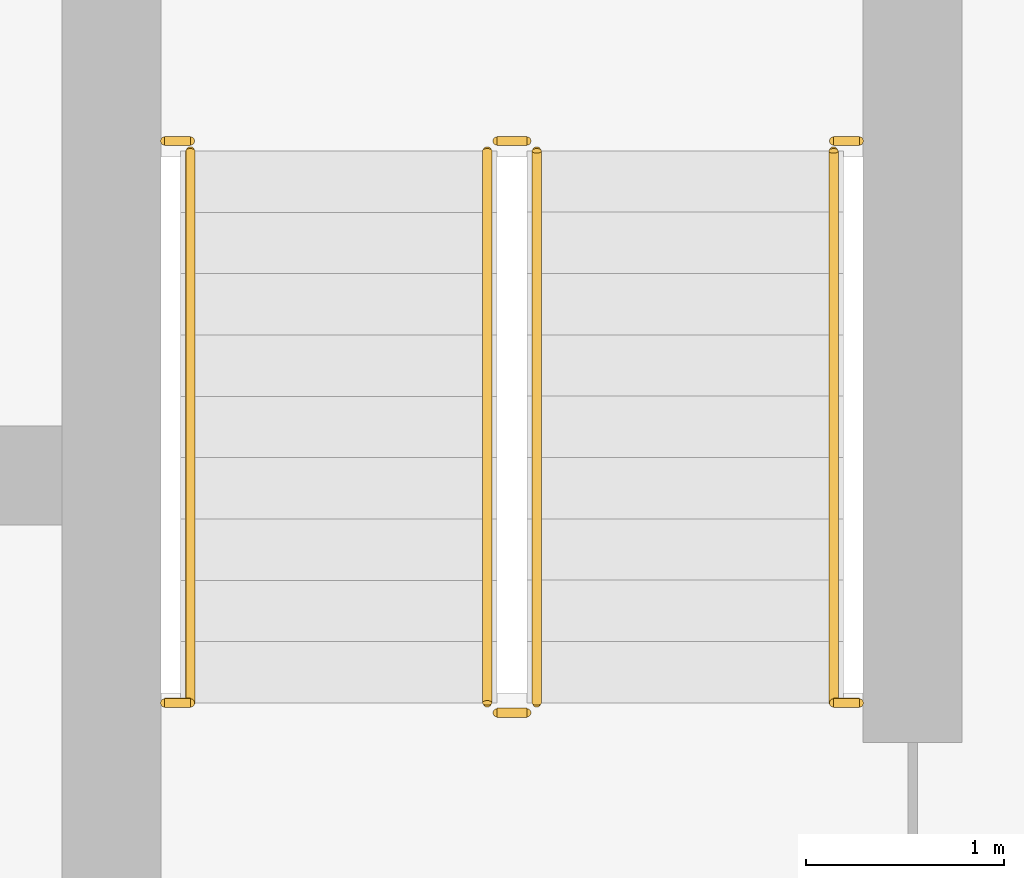
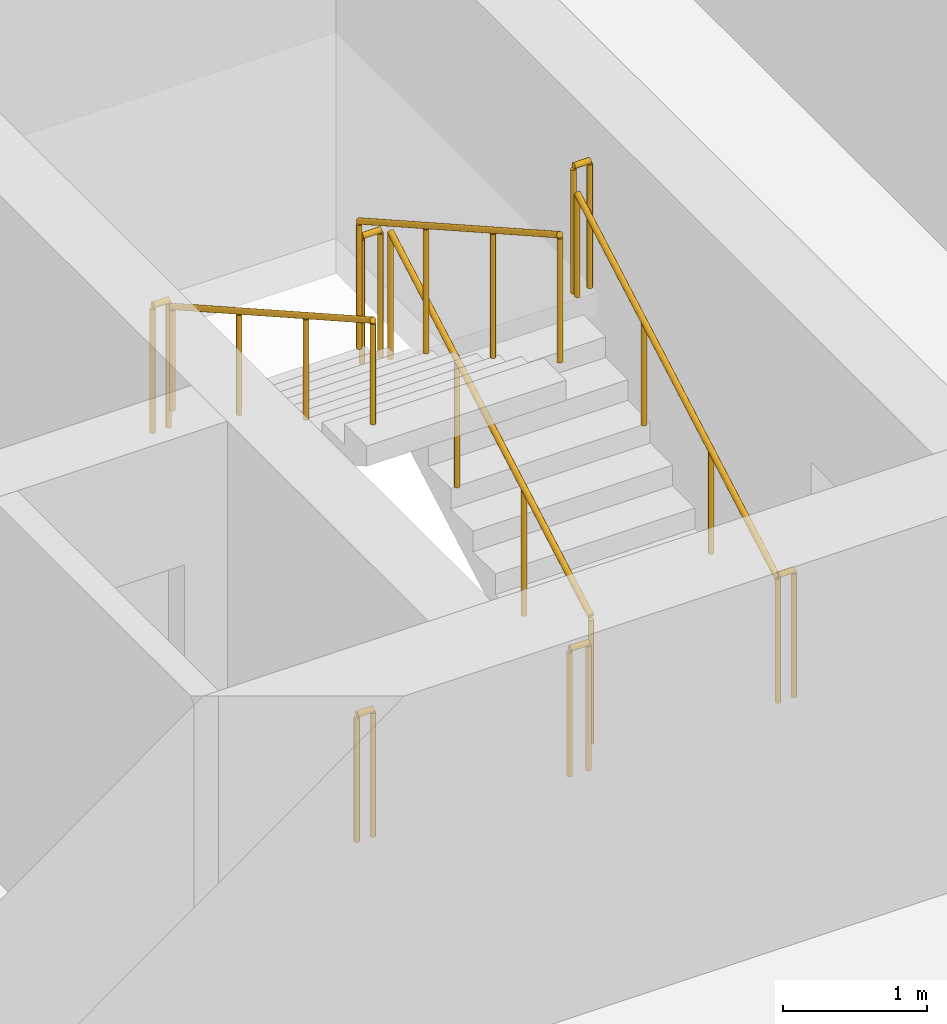
# One storey, part 20 of 22: 10 railings.
"""IFC4 building model written with IfcOpenShell, lengths in metres."""

from ifc_helpers import new_model, si_unit, direction, frame, origin, origin_2d, place, context, subcontext, project, spatial, circle, extrude, material, type_object, element, save


model = new_model("IFC4")

# Units and contexts
model_context = context("Model", 3, precision=1e-05, world=origin(), true_north=direction((0.0, 1.0)))
body_context = subcontext(model_context, "Body", "Model", "MODEL_VIEW")
ifc_project = project(units=[si_unit("LENGTHUNIT", "METRE"), si_unit("AREAUNIT", "SQUARE_METRE"), si_unit("VOLUMEUNIT", "CUBIC_METRE"), si_unit("PLANEANGLEUNIT", "RADIAN"), si_unit("MASSUNIT", "GRAM", prefix="KILO")], contexts=[model_context])

# Site, building, storey
site_placement = place(None, origin())
site = spatial("IfcSite", under=ifc_project, at=site_placement, CompositionType="ELEMENT")
building_placement = place(site_placement, origin())
building = spatial("IfcBuilding", under=site, at=building_placement, Name="Madar Terraces", CompositionType="ELEMENT")
storey_placement = place(building_placement, frame((0.0, 0.0, 192.89990234375)))
storey = spatial("IfcBuildingStorey", under=building, at=storey_placement, Name="L50", CompositionType="ELEMENT", Elevation=192.89990234375)

# Railings
ifc_material_1 = material(Name="Stainless steel railing", Category="steel")
railing_type_1 = type_object("IfcRailingType", Name="Stair guard 1100", PredefinedType="GUARDRAIL", material=ifc_material_1)
railing_1_placement = place(storey_placement, frame((41.449951171875, 17.60009765625, 0.175048828125)))
element("IfcRailing", 1, at=railing_1_placement, inside=storey, type_object=railing_type_1, Name="L50 ST3 stair guard 1", PredefinedType="GUARDRAIL", context=body_context, shape_type="SweptSolid", body=[
    extrude(circle(Radius=0.02392578125, at=origin_2d()), frame((0.0, 0.0, 1.076171875), z_axis=(0.0, 0.870815363784, 0.491610213684), x_axis=(-1.0, 0.0, 0.0)), (0.0, 0.0, 1.0), 3.20361328125),
    extrude(circle(Radius=0.02099609375, at=origin_2d()), origin(), (0.0, 0.0, 1.0), 1.052001953125),
    extrude(circle(Radius=0.02099609375, at=origin_2d()), frame((0.0, 0.929931640625, 0.52490234375)), (0.0, 0.0, 1.0), 1.052001953125),
    extrude(circle(Radius=0.02099609375, at=origin_2d()), frame((0.0, 1.85986328125, 1.050048828125)), (0.0, 0.0, 1.0), 1.052001953125),
    extrude(circle(Radius=0.02099609375, at=origin_2d()), frame((0.0, 2.789794921875, 1.574951171875)), (0.0, 0.0, 1.0), 1.052001953125),
])
railing_2_placement = place(storey_placement, frame((41.39990234375, 20.43994140625, 1.75)))
element("IfcRailing", 2, at=railing_2_placement, inside=storey, type_object=railing_type_1, Name="L50 ST3 stair guard 2", PredefinedType="GUARDRAIL", context=body_context, shape_type="SweptSolid", body=[
    extrude(circle(Radius=0.02392578125, at=origin_2d()), frame((0.0, 0.0, 1.076171875), z_axis=(-1.0, 0.0, 0.0), x_axis=(0.0, -1.0, 0.0)), (0.0, 0.0, 1.0), 0.14990234375),
    extrude(circle(Radius=0.02099609375, at=origin_2d()), origin(), (0.0, 0.0, 1.0), 1.052001953125),
    extrude(circle(Radius=0.02099609375, at=origin_2d()), frame((-0.14990234375, 0.0, 0.0)), (0.0, 0.0, 1.0), 1.052001953125),
])
railing_3_placement = place(storey_placement, frame((41.199951171875, 20.389892578125, 1.925048828125)))
element("IfcRailing", 3, at=railing_3_placement, inside=storey, type_object=railing_type_1, Name="L50 ST3 stair guard 3", PredefinedType="GUARDRAIL", context=body_context, shape_type="SweptSolid", body=[
    extrude(circle(Radius=0.02392578125, at=origin_2d()), frame((0.0, 0.0, 1.076171875), z_axis=(0.0, -0.870815363784, 0.491610213684), x_axis=(1.0, 0.0, 0.0)), (0.0, 0.0, 1.0), 3.20361328125),
    extrude(circle(Radius=0.02099609375, at=origin_2d()), origin(), (0.0, 0.0, 1.0), 1.052001953125),
    extrude(circle(Radius=0.02099609375, at=origin_2d()), frame((0.0, -0.929931640625, 0.52490234375)), (0.0, 0.0, 1.0), 1.052001953125),
    extrude(circle(Radius=0.02099609375, at=origin_2d()), frame((0.0, -1.85986328125, 1.050048828125)), (0.0, 0.0, 1.0), 1.052001953125),
    extrude(circle(Radius=0.02099609375, at=origin_2d()), frame((0.0, -2.789794921875, 1.574951171875)), (0.0, 0.0, 1.0), 1.052001953125),
])
railing_4_placement = place(storey_placement, frame((41.39990234375, 17.550048828125, 0.0)))
element("IfcRailing", 4, at=railing_4_placement, inside=storey, type_object=railing_type_1, Name="L50 ST3 stair guard 4", PredefinedType="GUARDRAIL", context=body_context, shape_type="SweptSolid", body=[
    extrude(circle(Radius=0.02392578125, at=origin_2d()), frame((0.0, 0.0, 1.076171875), z_axis=(-1.0, 0.0, 0.0), x_axis=(0.0, -1.0, 0.0)), (0.0, 0.0, 1.0), 0.14990234375),
    extrude(circle(Radius=0.02099609375, at=origin_2d()), origin(), (0.0, 0.0, 1.0), 1.052001953125),
    extrude(circle(Radius=0.02099609375, at=origin_2d()), frame((-0.14990234375, 0.0, 0.0)), (0.0, 0.0, 1.0), 1.052001953125),
])
railing_5_placement = place(storey_placement, frame((39.570068359375, 20.43994140625, 1.75)))
element("IfcRailing", 5, at=railing_5_placement, inside=storey, type_object=railing_type_1, Name="L50 stair guard seat 1", PredefinedType="GUARDRAIL", context=body_context, shape_type="SweptSolid", body=[
    extrude(circle(Radius=0.02392578125, at=origin_2d()), frame((0.0, 0.0, 1.076171875), z_axis=(1.0, 0.0, 0.0), x_axis=(0.0, 1.0, 0.0)), (0.0, 0.0, 1.0), 0.1298828125),
    extrude(circle(Radius=0.02099609375, at=origin_2d()), origin(), (0.0, 0.0, 1.0), 1.052001953125),
    extrude(circle(Radius=0.02099609375, at=origin_2d()), frame((0.1298828125, 0.0, 0.0)), (0.0, 0.0, 1.0), 1.052001953125),
])
railing_6_placement = place(storey_placement, frame((42.949951171875, 20.43994140625, 1.75)))
element("IfcRailing", 6, at=railing_6_placement, inside=storey, type_object=railing_type_1, Name="L50 stair guard seat 2", PredefinedType="GUARDRAIL", context=body_context, shape_type="SweptSolid", body=[
    extrude(circle(Radius=0.02392578125, at=origin_2d()), frame((0.0, 0.0, 1.076171875), z_axis=(1.0, 0.0, 0.0), x_axis=(0.0, 1.0, 0.0)), (0.0, 0.0, 1.0), 0.130126953125),
    extrude(circle(Radius=0.02099609375, at=origin_2d()), origin(), (0.0, 0.0, 1.0), 1.052001953125),
    extrude(circle(Radius=0.02099609375, at=origin_2d()), frame((0.130126953125, 0.0, 0.0)), (0.0, 0.0, 1.0), 1.052001953125),
])
railing_7_placement = place(storey_placement, frame((39.570068359375, 17.60009765625, 0.0)))
element("IfcRailing", 7, at=railing_7_placement, inside=storey, type_object=railing_type_1, Name="L50 stair guard floor 1", PredefinedType="GUARDRAIL", context=body_context, shape_type="SweptSolid", body=[
    extrude(circle(Radius=0.02392578125, at=origin_2d()), frame((0.0, 0.0, 1.076171875), z_axis=(1.0, 0.0, 0.0), x_axis=(0.0, 1.0, 0.0)), (0.0, 0.0, 1.0), 0.1298828125),
    extrude(circle(Radius=0.02099609375, at=origin_2d()), origin(), (0.0, 0.0, 1.0), 1.052001953125),
    extrude(circle(Radius=0.02099609375, at=origin_2d()), frame((0.1298828125, 0.0, 0.0)), (0.0, 0.0, 1.0), 1.052001953125),
])
railing_8_placement = place(storey_placement, frame((42.949951171875, 17.60009765625, 0.0)))
element("IfcRailing", 8, at=railing_8_placement, inside=storey, type_object=railing_type_1, Name="L50 stair guard floor 2", PredefinedType="GUARDRAIL", context=body_context, shape_type="SweptSolid", body=[
    extrude(circle(Radius=0.02392578125, at=origin_2d()), frame((0.0, 0.0, 1.076171875), z_axis=(1.0, 0.0, 0.0), x_axis=(0.0, 1.0, 0.0)), (0.0, 0.0, 1.0), 0.130126953125),
    extrude(circle(Radius=0.02099609375, at=origin_2d()), origin(), (0.0, 0.0, 1.0), 1.052001953125),
    extrude(circle(Radius=0.02099609375, at=origin_2d()), frame((0.130126953125, 0.0, 0.0)), (0.0, 0.0, 1.0), 1.052001953125),
])
ifc_material_2 = material(Name="Stainless steel railing", Category="steel")
railing_type_2 = type_object("IfcRailingType", Name="Stair handrail 900", PredefinedType="HANDRAIL", material=ifc_material_2)
railing_9_placement = place(storey_placement, frame((42.949951171875, 17.60009765625, 0.175048828125)))
element("IfcRailing", 9, at=railing_9_placement, inside=storey, type_object=railing_type_2, Name="L50 ST3 stair handrail 1", PredefinedType="HANDRAIL", context=body_context, shape_type="SweptSolid", body=[
    extrude(circle(Radius=0.02392578125, at=origin_2d()), frame((0.0, 0.0, 0.8759765625), z_axis=(0.0, 0.870815363784, 0.491610213684), x_axis=(-1.0, 0.0, 0.0)), (0.0, 0.0, 1.0), 3.20361328125),
    extrude(circle(Radius=0.02099609375, at=origin_2d()), origin(), (0.0, 0.0, 1.0), 0.851806640625),
    extrude(circle(Radius=0.02099609375, at=origin_2d()), frame((0.0, 0.929931640625, 0.52490234375)), (0.0, 0.0, 1.0), 0.851806640625),
    extrude(circle(Radius=0.02099609375, at=origin_2d()), frame((0.0, 1.85986328125, 1.050048828125)), (0.0, 0.0, 1.0), 0.851806640625),
    extrude(circle(Radius=0.02099609375, at=origin_2d()), frame((0.0, 2.789794921875, 1.574951171875)), (0.0, 0.0, 1.0), 0.851806640625),
])
railing_10_placement = place(storey_placement, frame((39.699951171875, 20.389892578125, 1.925048828125)))
element("IfcRailing", 10, at=railing_10_placement, inside=storey, type_object=railing_type_2, Name="L50 ST3 stair handrail 2", PredefinedType="HANDRAIL", context=body_context, shape_type="SweptSolid", body=[
    extrude(circle(Radius=0.02392578125, at=origin_2d()), frame((0.0, 0.0, 0.8759765625), z_axis=(0.0, -0.870815363784, 0.491610213684), x_axis=(1.0, 0.0, 0.0)), (0.0, 0.0, 1.0), 3.20361328125),
    extrude(circle(Radius=0.02099609375, at=origin_2d()), origin(), (0.0, 0.0, 1.0), 0.851806640625),
    extrude(circle(Radius=0.02099609375, at=origin_2d()), frame((0.0, -0.929931640625, 0.52490234375)), (0.0, 0.0, 1.0), 0.851806640625),
    extrude(circle(Radius=0.02099609375, at=origin_2d()), frame((0.0, -1.85986328125, 1.050048828125)), (0.0, 0.0, 1.0), 0.851806640625),
    extrude(circle(Radius=0.02099609375, at=origin_2d()), frame((0.0, -2.789794921875, 1.574951171875)), (0.0, 0.0, 1.0), 0.851806640625),
])

save(model, "model.ifc")
